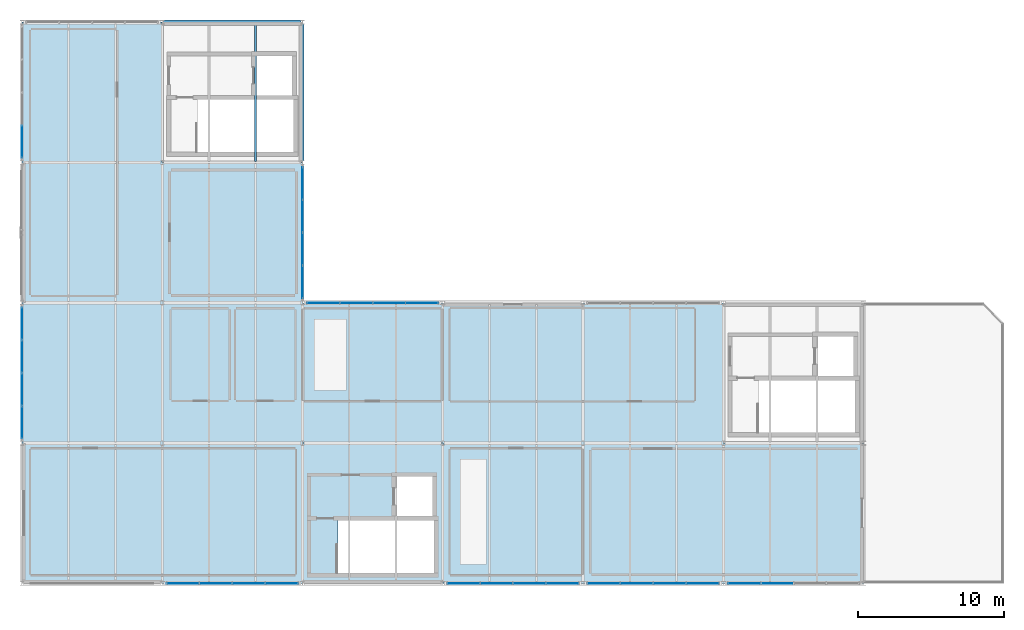
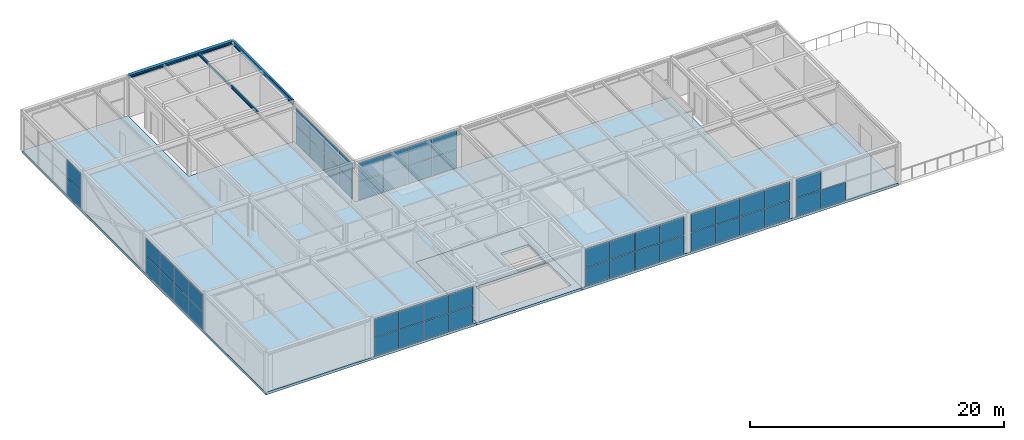
# One storey, part 28 of 33: 53 plates, 3 beams, 2 slabs, 8 elements without a shape of their own.
"""IFC4 building model written with IfcOpenShell, lengths in metres."""

from ifc_helpers import new_model, si_unit, direction, frame, origin, origin_2d, place, context, subcontext, project, spatial, polyline, rectangle, i_section, outline, extrude, material, layer, layer_set, material_profile, profile_set, type_object, element, aggregate, save


model = new_model("IFC4")

# Units and contexts
model_context = context("Model", 3, precision=1e-05, world=origin(), true_north=direction((0.0, 1.0)))
body_context = subcontext(model_context, "Body", "Model", "MODEL_VIEW")
ifc_project = project(units=[si_unit("LENGTHUNIT", "METRE"), si_unit("AREAUNIT", "SQUARE_METRE"), si_unit("VOLUMEUNIT", "CUBIC_METRE"), si_unit("PLANEANGLEUNIT", "RADIAN"), si_unit("MASSUNIT", "GRAM", prefix="KILO")], contexts=[model_context])

# Site, building, storey
site_placement = place(None, origin())
site = spatial("IfcSite", under=ifc_project, at=site_placement, CompositionType="ELEMENT")
building_placement = place(site_placement, origin())
building = spatial("IfcBuilding", under=site, at=building_placement, Name="Coralgate Yard Interchange", CompositionType="ELEMENT")
storey_placement = place(building_placement, frame((0.0, 0.0, 23.10009765625)))
storey = spatial("IfcBuildingStorey", under=building, at=storey_placement, Name="L05", CompositionType="ELEMENT", Elevation=23.10009765625)

# Beams
ifc_material_1 = material(Name="Structural steel S355J2", Category="steel")
ifc_material_profile_1 = material_profile(ifc_material_1, i_section(OverallWidth=0.1904296875, OverallDepth=0.45703125, WebThickness=0.009033203125, FlangeThickness=0.014404296875, FilletRadius=0.01025390625, at=origin_2d()), Name="UB 457x191x74")
ifc_profile_set_1 = profile_set([ifc_material_profile_1], Name="Structural steel S355J2")
beam_type_1 = type_object("IfcBeamType", Name="BM-SB-2", PredefinedType="BEAM", material=ifc_profile_set_1)
beam_1_placement = place(storey_placement, frame((19.199951171875, 28.900146484375, 3.69140625), z_axis=(0.0, 1.0, 0.0), x_axis=(-1.0, 0.0, 0.0)))
element("IfcBeam", 1, at=beam_1_placement, inside=storey, type_object=beam_type_1, Name="L05 primary grid girder X2 Y3-4", PredefinedType="BEAM", context=body_context, shape_type="SweptSolid", body=[
    extrude(i_section(OverallWidth=0.1904296875, OverallDepth=0.45703125, WebThickness=0.009033203125, FlangeThickness=0.014404296875, FilletRadius=0.01025390625, at=origin_2d()), origin(), (0.0, 0.0, 1.0), 9.399658203125),
])
ifc_material_profile_2 = material_profile(ifc_material_1, i_section(OverallWidth=0.135009765625, OverallDepth=0.27001953125, WebThickness=0.006591796875, FlangeThickness=0.01025390625, FilletRadius=0.014892578125, at=origin_2d()), Name="IPE 270")
ifc_profile_set_2 = profile_set([ifc_material_profile_2], Name="Structural steel S355J2")
beam_type_2 = type_object("IfcBeamType", Name="BM-SJ-3", PredefinedType="JOIST", material=ifc_profile_set_2)
beam_2_placement = place(storey_placement, frame((16.0, 28.884033203125, 3.784912109375), z_axis=(0.0, 1.0, 0.0), x_axis=(-1.0, 0.0, 0.0)))
element("IfcBeam", 2, at=beam_2_placement, inside=storey, type_object=beam_type_2, Name="L05 composite floor joist 1-3-2", PredefinedType="JOIST", context=body_context, shape_type="SweptSolid", body=[
    extrude(i_section(OverallWidth=0.135009765625, OverallDepth=0.27001953125, WebThickness=0.006591796875, FlangeThickness=0.01025390625, FilletRadius=0.014892578125, at=origin_2d()), origin(), (0.0, 0.0, 1.0), 9.39599609375),
])
ifc_material_profile_3 = material_profile(ifc_material_1, i_section(OverallWidth=0.300048828125, OverallDepth=0.2900390625, WebThickness=0.008544921875, FlangeThickness=0.013916015625, FilletRadius=0.027099609375, at=origin_2d()), Name="HEA 300")
ifc_profile_set_3 = profile_set([ifc_material_profile_3], Name="Structural steel S355J2")
beam_type_3 = type_object("IfcBeamType", Name="BM-SP-2", PredefinedType="SPANDREL", material=ifc_profile_set_3)
beam_3_placement = place(storey_placement, frame((9.6982421875, 38.39990234375, 3.77490234375), z_axis=(1.0, 0.0, 0.0), x_axis=(0.0, 1.0, 0.0)))
element("IfcBeam", 3, at=beam_3_placement, inside=storey, type_object=beam_type_3, Name="L05 primary grid beam Y4 X1-2", PredefinedType="SPANDREL", context=body_context, shape_type="SweptSolid", body=[
    extrude(i_section(OverallWidth=0.300048828125, OverallDepth=0.2900390625, WebThickness=0.008544921875, FlangeThickness=0.013916015625, FilletRadius=0.027099609375, at=origin_2d()), origin(), (0.0, 0.0, 1.0), 9.403564453125),
])

# Curtain wall, plates
ifc_material_2 = material(Name="Anodised coastal aluminium and solar-control low-E glass", Category="aluminium")
curtain_wall_type = type_object("IfcCurtainWallType", Name="CW-CW-L05-A", PredefinedType="NOTDEFINED", material=ifc_material_2)
curtain_wall_1_placement = place(storey_placement, origin())
curtain_wall_1 = element("IfcCurtainWall", 4, at=curtain_wall_1_placement, inside=storey, type_object=curtain_wall_type, Name="L05 unitised curtain wall CW-L05-W-00-01", PredefinedType="NOTDEFINED")
ifc_material_3 = material(Name="Solar-control double-glazed low-E glass unit", Category="glass")
ifc_layer_1 = layer(ifc_material_3, 0.028076171875)
ifc_layer_set_1 = layer_set([ifc_layer_1], Name="Solar-control double-glazed low-E glass unit")
plate_type = type_object("IfcPlateType", Name="PLT-CP-28", PredefinedType="CURTAIN_PANEL", material=ifc_layer_set_1)
plate_1_placement = place(storey_placement, frame((0.0, 11.02490234375, 0.02490234375), z_axis=(0.0, 0.0, 1.0), x_axis=(0.0, 1.0, 0.0)))
plate_1 = element("IfcPlate", 5, at=plate_1_placement, type_object=plate_type, Name="CW-L05-W-00-01 solar-control glazing panel 1-1", PredefinedType="CURTAIN_PANEL", context=body_context, shape_type="SweptSolid", body=[
    extrude(rectangle(XDim=2.199951171875, YDim=0.028076171875, at=origin_2d()), origin(), (0.0, 0.0, 1.0), 1.681396484375),
])
plate_2_placement = place(storey_placement, frame((0.0, 11.02490234375, 1.75634765625), z_axis=(0.0, 0.0, 1.0), x_axis=(0.0, 1.0, 0.0)))
plate_2 = element("IfcPlate", 6, at=plate_2_placement, type_object=plate_type, Name="CW-L05-W-00-01 solar-control glazing panel 1-2", PredefinedType="CURTAIN_PANEL", context=body_context, shape_type="SweptSolid", body=[
    extrude(rectangle(XDim=2.199951171875, YDim=0.028076171875, at=origin_2d()), origin(), (0.0, 0.0, 1.0), 1.681396484375),
])
plate_3_placement = place(storey_placement, frame((0.0, 13.27490234375, 0.02490234375), z_axis=(0.0, 0.0, 1.0), x_axis=(0.0, 1.0, 0.0)))
plate_3 = element("IfcPlate", 7, at=plate_3_placement, type_object=plate_type, Name="CW-L05-W-00-01 solar-control glazing panel 2-1", PredefinedType="CURTAIN_PANEL", context=body_context, shape_type="SweptSolid", body=[
    extrude(rectangle(XDim=2.199951171875, YDim=0.028076171875, at=origin_2d()), origin(), (0.0, 0.0, 1.0), 1.681396484375),
])
plate_4_placement = place(storey_placement, frame((0.0, 13.27490234375, 1.75634765625), z_axis=(0.0, 0.0, 1.0), x_axis=(0.0, 1.0, 0.0)))
plate_4 = element("IfcPlate", 8, at=plate_4_placement, type_object=plate_type, Name="CW-L05-W-00-01 solar-control glazing panel 2-2", PredefinedType="CURTAIN_PANEL", context=body_context, shape_type="SweptSolid", body=[
    extrude(rectangle(XDim=2.199951171875, YDim=0.028076171875, at=origin_2d()), origin(), (0.0, 0.0, 1.0), 1.681396484375),
])
plate_5_placement = place(storey_placement, frame((0.0, 15.52490234375, 0.02490234375), z_axis=(0.0, 0.0, 1.0), x_axis=(0.0, 1.0, 0.0)))
plate_5 = element("IfcPlate", 9, at=plate_5_placement, type_object=plate_type, Name="CW-L05-W-00-01 solar-control glazing panel 3-1", PredefinedType="CURTAIN_PANEL", context=body_context, shape_type="SweptSolid", body=[
    extrude(rectangle(XDim=2.199951171875, YDim=0.028076171875, at=origin_2d()), origin(), (0.0, 0.0, 1.0), 1.681396484375),
])
plate_6_placement = place(storey_placement, frame((0.0, 15.52490234375, 1.75634765625), z_axis=(0.0, 0.0, 1.0), x_axis=(0.0, 1.0, 0.0)))
plate_6 = element("IfcPlate", 10, at=plate_6_placement, type_object=plate_type, Name="CW-L05-W-00-01 solar-control glazing panel 3-2", PredefinedType="CURTAIN_PANEL", context=body_context, shape_type="SweptSolid", body=[
    extrude(rectangle(XDim=2.199951171875, YDim=0.028076171875, at=origin_2d()), origin(), (0.0, 0.0, 1.0), 1.681396484375),
])
plate_7_placement = place(storey_placement, frame((0.0, 17.77490234375, 0.02490234375), z_axis=(0.0, 0.0, 1.0), x_axis=(0.0, 1.0, 0.0)))
plate_7 = element("IfcPlate", 11, at=plate_7_placement, type_object=plate_type, Name="CW-L05-W-00-01 solar-control glazing panel 4-1", PredefinedType="CURTAIN_PANEL", context=body_context, shape_type="SweptSolid", body=[
    extrude(rectangle(XDim=2.199951171875, YDim=0.028076171875, at=origin_2d()), origin(), (0.0, 0.0, 1.0), 1.681396484375),
])
plate_8_placement = place(storey_placement, frame((0.0, 17.77490234375, 1.75634765625), z_axis=(0.0, 0.0, 1.0), x_axis=(0.0, 1.0, 0.0)))
plate_8 = element("IfcPlate", 12, at=plate_8_placement, type_object=plate_type, Name="CW-L05-W-00-01 solar-control glazing panel 4-2", PredefinedType="CURTAIN_PANEL", context=body_context, shape_type="SweptSolid", body=[
    extrude(rectangle(XDim=2.199951171875, YDim=0.028076171875, at=origin_2d()), origin(), (0.0, 0.0, 1.0), 1.681396484375),
])
aggregate(curtain_wall_1, [plate_1, plate_2, plate_3, plate_4, plate_5, plate_6, plate_7, plate_8])

curtain_wall_2_placement = place(storey_placement, origin())
curtain_wall_2 = element("IfcCurtainWall", 13, at=curtain_wall_2_placement, inside=storey, type_object=curtain_wall_type, Name="L05 unitised curtain wall CW-L05-W-00-03", PredefinedType="NOTDEFINED")
plate_9_placement = place(storey_placement, frame((0.0, 30.22509765625, 0.02490234375), z_axis=(0.0, 0.0, 1.0), x_axis=(0.0, 1.0, 0.0)))
plate_9 = element("IfcPlate", 14, at=plate_9_placement, type_object=plate_type, Name="CW-L05-W-00-03 solar-control glazing panel 1-1", PredefinedType="CURTAIN_PANEL", context=body_context, shape_type="SweptSolid", body=[
    extrude(rectangle(XDim=2.199951171875, YDim=0.028076171875, at=origin_2d()), origin(), (0.0, 0.0, 1.0), 1.681396484375),
])
plate_10_placement = place(storey_placement, frame((0.0, 30.22509765625, 1.75634765625), z_axis=(0.0, 0.0, 1.0), x_axis=(0.0, 1.0, 0.0)))
plate_10 = element("IfcPlate", 15, at=plate_10_placement, type_object=plate_type, Name="CW-L05-W-00-03 solar-control glazing panel 1-2", PredefinedType="CURTAIN_PANEL", context=body_context, shape_type="SweptSolid", body=[
    extrude(rectangle(XDim=2.199951171875, YDim=0.028076171875, at=origin_2d()), origin(), (0.0, 0.0, 1.0), 1.681396484375),
])
aggregate(curtain_wall_2, [plate_9, plate_10])

curtain_wall_3_placement = place(storey_placement, origin())
curtain_wall_3 = element("IfcCurtainWall", 16, at=curtain_wall_3_placement, inside=storey, type_object=curtain_wall_type, Name="L05 unitised curtain wall CW-L05-S-01-00", PredefinedType="NOTDEFINED")
plate_11_placement = place(storey_placement, frame((17.77490234375, 0.0, 0.02490234375), z_axis=(0.0, 0.0, 1.0), x_axis=(-1.0, 0.0, 0.0)))
plate_11 = element("IfcPlate", 17, at=plate_11_placement, type_object=plate_type, Name="CW-L05-S-01-00 solar-control glazing panel 1-1", PredefinedType="CURTAIN_PANEL", context=body_context, shape_type="SweptSolid", body=[
    extrude(rectangle(XDim=2.199951171875, YDim=0.028076171875, at=origin_2d()), origin(), (0.0, 0.0, 1.0), 1.764892578125),
])
plate_12_placement = place(storey_placement, frame((17.77490234375, 0.0, 1.83984375), z_axis=(0.0, 0.0, 1.0), x_axis=(-1.0, 0.0, 0.0)))
plate_12 = element("IfcPlate", 18, at=plate_12_placement, type_object=plate_type, Name="CW-L05-S-01-00 solar-control glazing panel 1-2", PredefinedType="CURTAIN_PANEL", context=body_context, shape_type="SweptSolid", body=[
    extrude(rectangle(XDim=2.199951171875, YDim=0.028076171875, at=origin_2d()), origin(), (0.0, 0.0, 1.0), 1.764892578125),
])
plate_13_placement = place(storey_placement, frame((15.52490234375, 0.0, 0.02490234375), z_axis=(0.0, 0.0, 1.0), x_axis=(-1.0, 0.0, 0.0)))
plate_13 = element("IfcPlate", 19, at=plate_13_placement, type_object=plate_type, Name="CW-L05-S-01-00 solar-control glazing panel 2-1", PredefinedType="CURTAIN_PANEL", context=body_context, shape_type="SweptSolid", body=[
    extrude(rectangle(XDim=2.199951171875, YDim=0.028076171875, at=origin_2d()), origin(), (0.0, 0.0, 1.0), 1.764892578125),
])
plate_14_placement = place(storey_placement, frame((15.52490234375, 0.0, 1.83984375), z_axis=(0.0, 0.0, 1.0), x_axis=(-1.0, 0.0, 0.0)))
plate_14 = element("IfcPlate", 20, at=plate_14_placement, type_object=plate_type, Name="CW-L05-S-01-00 solar-control glazing panel 2-2", PredefinedType="CURTAIN_PANEL", context=body_context, shape_type="SweptSolid", body=[
    extrude(rectangle(XDim=2.199951171875, YDim=0.028076171875, at=origin_2d()), origin(), (0.0, 0.0, 1.0), 1.764892578125),
])
plate_15_placement = place(storey_placement, frame((13.27490234375, 0.0, 0.02490234375), z_axis=(0.0, 0.0, 1.0), x_axis=(-1.0, 0.0, 0.0)))
plate_15 = element("IfcPlate", 21, at=plate_15_placement, type_object=plate_type, Name="CW-L05-S-01-00 solar-control glazing panel 3-1", PredefinedType="CURTAIN_PANEL", context=body_context, shape_type="SweptSolid", body=[
    extrude(rectangle(XDim=2.199951171875, YDim=0.028076171875, at=origin_2d()), origin(), (0.0, 0.0, 1.0), 1.764892578125),
])
plate_16_placement = place(storey_placement, frame((13.27490234375, 0.0, 1.83984375), z_axis=(0.0, 0.0, 1.0), x_axis=(-1.0, 0.0, 0.0)))
plate_16 = element("IfcPlate", 22, at=plate_16_placement, type_object=plate_type, Name="CW-L05-S-01-00 solar-control glazing panel 3-2", PredefinedType="CURTAIN_PANEL", context=body_context, shape_type="SweptSolid", body=[
    extrude(rectangle(XDim=2.199951171875, YDim=0.028076171875, at=origin_2d()), origin(), (0.0, 0.0, 1.0), 1.764892578125),
])
plate_17_placement = place(storey_placement, frame((11.02490234375, 0.0, 0.02490234375), z_axis=(0.0, 0.0, 1.0), x_axis=(-1.0, 0.0, 0.0)))
plate_17 = element("IfcPlate", 23, at=plate_17_placement, type_object=plate_type, Name="CW-L05-S-01-00 solar-control glazing panel 4-1", PredefinedType="CURTAIN_PANEL", context=body_context, shape_type="SweptSolid", body=[
    extrude(rectangle(XDim=2.199951171875, YDim=0.028076171875, at=origin_2d()), origin(), (0.0, 0.0, 1.0), 1.764892578125),
])
plate_18_placement = place(storey_placement, frame((11.02490234375, 0.0, 1.83984375), z_axis=(0.0, 0.0, 1.0), x_axis=(-1.0, 0.0, 0.0)))
plate_18 = element("IfcPlate", 24, at=plate_18_placement, type_object=plate_type, Name="CW-L05-S-01-00 solar-control glazing panel 4-2", PredefinedType="CURTAIN_PANEL", context=body_context, shape_type="SweptSolid", body=[
    extrude(rectangle(XDim=2.199951171875, YDim=0.028076171875, at=origin_2d()), origin(), (0.0, 0.0, 1.0), 1.764892578125),
])
aggregate(curtain_wall_3, [plate_11, plate_12, plate_13, plate_14, plate_15, plate_16, plate_17, plate_18])

curtain_wall_4_placement = place(storey_placement, origin())
curtain_wall_4 = element("IfcCurtainWall", 25, at=curtain_wall_4_placement, inside=storey, type_object=curtain_wall_type, Name="L05 unitised curtain wall CW-L05-E-01-02", PredefinedType="NOTDEFINED")
plate_19_placement = place(storey_placement, frame((19.199951171875, 27.375, 0.02490234375), z_axis=(0.0, 0.0, 1.0), x_axis=(0.0, -1.0, 0.0)))
plate_19 = element("IfcPlate", 26, at=plate_19_placement, type_object=plate_type, Name="CW-L05-E-01-02 solar-control glazing panel 1-1", PredefinedType="CURTAIN_PANEL", context=body_context, shape_type="SweptSolid", body=[
    extrude(rectangle(XDim=2.199951171875, YDim=0.028076171875, at=origin_2d()), origin(), (0.0, 0.0, 1.0), 1.681396484375),
])
plate_20_placement = place(storey_placement, frame((19.199951171875, 27.375, 1.75634765625), z_axis=(0.0, 0.0, 1.0), x_axis=(0.0, -1.0, 0.0)))
plate_20 = element("IfcPlate", 27, at=plate_20_placement, type_object=plate_type, Name="CW-L05-E-01-02 solar-control glazing panel 1-2", PredefinedType="CURTAIN_PANEL", context=body_context, shape_type="SweptSolid", body=[
    extrude(rectangle(XDim=2.199951171875, YDim=0.028076171875, at=origin_2d()), origin(), (0.0, 0.0, 1.0), 1.681396484375),
])
plate_21_placement = place(storey_placement, frame((19.199951171875, 25.125, 0.02490234375), z_axis=(0.0, 0.0, 1.0), x_axis=(0.0, -1.0, 0.0)))
plate_21 = element("IfcPlate", 28, at=plate_21_placement, type_object=plate_type, Name="CW-L05-E-01-02 solar-control glazing panel 2-1", PredefinedType="CURTAIN_PANEL", context=body_context, shape_type="SweptSolid", body=[
    extrude(rectangle(XDim=2.199951171875, YDim=0.028076171875, at=origin_2d()), origin(), (0.0, 0.0, 1.0), 1.681396484375),
])
plate_22_placement = place(storey_placement, frame((19.199951171875, 25.125, 1.75634765625), z_axis=(0.0, 0.0, 1.0), x_axis=(0.0, -1.0, 0.0)))
plate_22 = element("IfcPlate", 29, at=plate_22_placement, type_object=plate_type, Name="CW-L05-E-01-02 solar-control glazing panel 2-2", PredefinedType="CURTAIN_PANEL", context=body_context, shape_type="SweptSolid", body=[
    extrude(rectangle(XDim=2.199951171875, YDim=0.028076171875, at=origin_2d()), origin(), (0.0, 0.0, 1.0), 1.681396484375),
])
plate_23_placement = place(storey_placement, frame((19.199951171875, 22.875, 0.02490234375), z_axis=(0.0, 0.0, 1.0), x_axis=(0.0, -1.0, 0.0)))
plate_23 = element("IfcPlate", 30, at=plate_23_placement, type_object=plate_type, Name="CW-L05-E-01-02 solar-control glazing panel 3-1", PredefinedType="CURTAIN_PANEL", context=body_context, shape_type="SweptSolid", body=[
    extrude(rectangle(XDim=2.199951171875, YDim=0.028076171875, at=origin_2d()), origin(), (0.0, 0.0, 1.0), 1.681396484375),
])
plate_24_placement = place(storey_placement, frame((19.199951171875, 22.875, 1.75634765625), z_axis=(0.0, 0.0, 1.0), x_axis=(0.0, -1.0, 0.0)))
plate_24 = element("IfcPlate", 31, at=plate_24_placement, type_object=plate_type, Name="CW-L05-E-01-02 solar-control glazing panel 3-2", PredefinedType="CURTAIN_PANEL", context=body_context, shape_type="SweptSolid", body=[
    extrude(rectangle(XDim=2.199951171875, YDim=0.028076171875, at=origin_2d()), origin(), (0.0, 0.0, 1.0), 1.681396484375),
])
plate_25_placement = place(storey_placement, frame((19.199951171875, 20.625, 0.02490234375), z_axis=(0.0, 0.0, 1.0), x_axis=(0.0, -1.0, 0.0)))
plate_25 = element("IfcPlate", 32, at=plate_25_placement, type_object=plate_type, Name="CW-L05-E-01-02 solar-control glazing panel 4-1", PredefinedType="CURTAIN_PANEL", context=body_context, shape_type="SweptSolid", body=[
    extrude(rectangle(XDim=2.199951171875, YDim=0.028076171875, at=origin_2d()), origin(), (0.0, 0.0, 1.0), 1.681396484375),
])
plate_26_placement = place(storey_placement, frame((19.199951171875, 20.625, 1.75634765625), z_axis=(0.0, 0.0, 1.0), x_axis=(0.0, -1.0, 0.0)))
plate_26 = element("IfcPlate", 33, at=plate_26_placement, type_object=plate_type, Name="CW-L05-E-01-02 solar-control glazing panel 4-2", PredefinedType="CURTAIN_PANEL", context=body_context, shape_type="SweptSolid", body=[
    extrude(rectangle(XDim=2.199951171875, YDim=0.028076171875, at=origin_2d()), origin(), (0.0, 0.0, 1.0), 1.681396484375),
])
aggregate(curtain_wall_4, [plate_19, plate_20, plate_21, plate_22, plate_23, plate_24, plate_25, plate_26])

curtain_wall_5_placement = place(storey_placement, origin())
curtain_wall_5 = element("IfcCurtainWall", 34, at=curtain_wall_5_placement, inside=storey, type_object=curtain_wall_type, Name="L05 unitised curtain wall CW-L05-N-02-01", PredefinedType="NOTDEFINED")
plate_27_placement = place(storey_placement, frame((20.625, 19.199951171875, 0.02490234375), z_axis=(0.0, 0.0, 1.0), x_axis=(1.0, 0.0, 0.0)))
plate_27 = element("IfcPlate", 35, at=plate_27_placement, type_object=plate_type, Name="CW-L05-N-02-01 solar-control glazing panel 1-1", PredefinedType="CURTAIN_PANEL", context=body_context, shape_type="SweptSolid", body=[
    extrude(rectangle(XDim=2.199951171875, YDim=0.028076171875, at=origin_2d()), origin(), (0.0, 0.0, 1.0), 1.764892578125),
])
plate_28_placement = place(storey_placement, frame((20.625, 19.199951171875, 1.83984375), z_axis=(0.0, 0.0, 1.0), x_axis=(1.0, 0.0, 0.0)))
plate_28 = element("IfcPlate", 36, at=plate_28_placement, type_object=plate_type, Name="CW-L05-N-02-01 solar-control glazing panel 1-2", PredefinedType="CURTAIN_PANEL", context=body_context, shape_type="SweptSolid", body=[
    extrude(rectangle(XDim=2.199951171875, YDim=0.028076171875, at=origin_2d()), origin(), (0.0, 0.0, 1.0), 1.764892578125),
])
plate_29_placement = place(storey_placement, frame((22.875, 19.199951171875, 0.02490234375), z_axis=(0.0, 0.0, 1.0), x_axis=(1.0, 0.0, 0.0)))
plate_29 = element("IfcPlate", 37, at=plate_29_placement, type_object=plate_type, Name="CW-L05-N-02-01 solar-control glazing panel 2-1", PredefinedType="CURTAIN_PANEL", context=body_context, shape_type="SweptSolid", body=[
    extrude(rectangle(XDim=2.199951171875, YDim=0.028076171875, at=origin_2d()), origin(), (0.0, 0.0, 1.0), 1.764892578125),
])
plate_30_placement = place(storey_placement, frame((22.875, 19.199951171875, 1.83984375), z_axis=(0.0, 0.0, 1.0), x_axis=(1.0, 0.0, 0.0)))
plate_30 = element("IfcPlate", 38, at=plate_30_placement, type_object=plate_type, Name="CW-L05-N-02-01 solar-control glazing panel 2-2", PredefinedType="CURTAIN_PANEL", context=body_context, shape_type="SweptSolid", body=[
    extrude(rectangle(XDim=2.199951171875, YDim=0.028076171875, at=origin_2d()), origin(), (0.0, 0.0, 1.0), 1.764892578125),
])
plate_31_placement = place(storey_placement, frame((25.125, 19.199951171875, 0.02490234375), z_axis=(0.0, 0.0, 1.0), x_axis=(1.0, 0.0, 0.0)))
plate_31 = element("IfcPlate", 39, at=plate_31_placement, type_object=plate_type, Name="CW-L05-N-02-01 solar-control glazing panel 3-1", PredefinedType="CURTAIN_PANEL", context=body_context, shape_type="SweptSolid", body=[
    extrude(rectangle(XDim=2.199951171875, YDim=0.028076171875, at=origin_2d()), origin(), (0.0, 0.0, 1.0), 1.764892578125),
])
plate_32_placement = place(storey_placement, frame((25.125, 19.199951171875, 1.83984375), z_axis=(0.0, 0.0, 1.0), x_axis=(1.0, 0.0, 0.0)))
plate_32 = element("IfcPlate", 40, at=plate_32_placement, type_object=plate_type, Name="CW-L05-N-02-01 solar-control glazing panel 3-2", PredefinedType="CURTAIN_PANEL", context=body_context, shape_type="SweptSolid", body=[
    extrude(rectangle(XDim=2.199951171875, YDim=0.028076171875, at=origin_2d()), origin(), (0.0, 0.0, 1.0), 1.764892578125),
])
plate_33_placement = place(storey_placement, frame((27.375, 19.199951171875, 0.02490234375), z_axis=(0.0, 0.0, 1.0), x_axis=(1.0, 0.0, 0.0)))
plate_33 = element("IfcPlate", 41, at=plate_33_placement, type_object=plate_type, Name="CW-L05-N-02-01 solar-control glazing panel 4-1", PredefinedType="CURTAIN_PANEL", context=body_context, shape_type="SweptSolid", body=[
    extrude(rectangle(XDim=2.199951171875, YDim=0.028076171875, at=origin_2d()), origin(), (0.0, 0.0, 1.0), 1.764892578125),
])
plate_34_placement = place(storey_placement, frame((27.375, 19.199951171875, 1.83984375), z_axis=(0.0, 0.0, 1.0), x_axis=(1.0, 0.0, 0.0)))
plate_34 = element("IfcPlate", 42, at=plate_34_placement, type_object=plate_type, Name="CW-L05-N-02-01 solar-control glazing panel 4-2", PredefinedType="CURTAIN_PANEL", context=body_context, shape_type="SweptSolid", body=[
    extrude(rectangle(XDim=2.199951171875, YDim=0.028076171875, at=origin_2d()), origin(), (0.0, 0.0, 1.0), 1.764892578125),
])
aggregate(curtain_wall_5, [plate_27, plate_28, plate_29, plate_30, plate_31, plate_32, plate_33, plate_34])

curtain_wall_6_placement = place(storey_placement, origin())
curtain_wall_6 = element("IfcCurtainWall", 43, at=curtain_wall_6_placement, inside=storey, type_object=curtain_wall_type, Name="L05 unitised curtain wall CW-L05-S-03-00", PredefinedType="NOTDEFINED")
plate_35_placement = place(storey_placement, frame((36.97509765625, 0.0, 0.02490234375), z_axis=(0.0, 0.0, 1.0), x_axis=(-1.0, 0.0, 0.0)))
plate_35 = element("IfcPlate", 44, at=plate_35_placement, type_object=plate_type, Name="CW-L05-S-03-00 solar-control glazing panel 1-1", PredefinedType="CURTAIN_PANEL", context=body_context, shape_type="SweptSolid", body=[
    extrude(rectangle(XDim=2.199951171875, YDim=0.028076171875, at=origin_2d()), origin(), (0.0, 0.0, 1.0), 1.764892578125),
])
plate_36_placement = place(storey_placement, frame((36.97509765625, 0.0, 1.83984375), z_axis=(0.0, 0.0, 1.0), x_axis=(-1.0, 0.0, 0.0)))
plate_36 = element("IfcPlate", 45, at=plate_36_placement, type_object=plate_type, Name="CW-L05-S-03-00 solar-control glazing panel 1-2", PredefinedType="CURTAIN_PANEL", context=body_context, shape_type="SweptSolid", body=[
    extrude(rectangle(XDim=2.199951171875, YDim=0.028076171875, at=origin_2d()), origin(), (0.0, 0.0, 1.0), 1.764892578125),
])
plate_37_placement = place(storey_placement, frame((34.72509765625, 0.0, 0.02490234375), z_axis=(0.0, 0.0, 1.0), x_axis=(-1.0, 0.0, 0.0)))
plate_37 = element("IfcPlate", 46, at=plate_37_placement, type_object=plate_type, Name="CW-L05-S-03-00 solar-control glazing panel 2-1", PredefinedType="CURTAIN_PANEL", context=body_context, shape_type="SweptSolid", body=[
    extrude(rectangle(XDim=2.199951171875, YDim=0.028076171875, at=origin_2d()), origin(), (0.0, 0.0, 1.0), 1.764892578125),
])
plate_38_placement = place(storey_placement, frame((34.72509765625, 0.0, 1.83984375), z_axis=(0.0, 0.0, 1.0), x_axis=(-1.0, 0.0, 0.0)))
plate_38 = element("IfcPlate", 47, at=plate_38_placement, type_object=plate_type, Name="CW-L05-S-03-00 solar-control glazing panel 2-2", PredefinedType="CURTAIN_PANEL", context=body_context, shape_type="SweptSolid", body=[
    extrude(rectangle(XDim=2.199951171875, YDim=0.028076171875, at=origin_2d()), origin(), (0.0, 0.0, 1.0), 1.764892578125),
])
plate_39_placement = place(storey_placement, frame((32.47509765625, 0.0, 0.02490234375), z_axis=(0.0, 0.0, 1.0), x_axis=(-1.0, 0.0, 0.0)))
plate_39 = element("IfcPlate", 48, at=plate_39_placement, type_object=plate_type, Name="CW-L05-S-03-00 solar-control glazing panel 3-1", PredefinedType="CURTAIN_PANEL", context=body_context, shape_type="SweptSolid", body=[
    extrude(rectangle(XDim=2.199951171875, YDim=0.028076171875, at=origin_2d()), origin(), (0.0, 0.0, 1.0), 1.764892578125),
])
plate_40_placement = place(storey_placement, frame((32.47509765625, 0.0, 1.83984375), z_axis=(0.0, 0.0, 1.0), x_axis=(-1.0, 0.0, 0.0)))
plate_40 = element("IfcPlate", 49, at=plate_40_placement, type_object=plate_type, Name="CW-L05-S-03-00 solar-control glazing panel 3-2", PredefinedType="CURTAIN_PANEL", context=body_context, shape_type="SweptSolid", body=[
    extrude(rectangle(XDim=2.199951171875, YDim=0.028076171875, at=origin_2d()), origin(), (0.0, 0.0, 1.0), 1.764892578125),
])
plate_41_placement = place(storey_placement, frame((30.22509765625, 0.0, 0.02490234375), z_axis=(0.0, 0.0, 1.0), x_axis=(-1.0, 0.0, 0.0)))
plate_41 = element("IfcPlate", 50, at=plate_41_placement, type_object=plate_type, Name="CW-L05-S-03-00 solar-control glazing panel 4-1", PredefinedType="CURTAIN_PANEL", context=body_context, shape_type="SweptSolid", body=[
    extrude(rectangle(XDim=2.199951171875, YDim=0.028076171875, at=origin_2d()), origin(), (0.0, 0.0, 1.0), 1.764892578125),
])
plate_42_placement = place(storey_placement, frame((30.22509765625, 0.0, 1.83984375), z_axis=(0.0, 0.0, 1.0), x_axis=(-1.0, 0.0, 0.0)))
plate_42 = element("IfcPlate", 51, at=plate_42_placement, type_object=plate_type, Name="CW-L05-S-03-00 solar-control glazing panel 4-2", PredefinedType="CURTAIN_PANEL", context=body_context, shape_type="SweptSolid", body=[
    extrude(rectangle(XDim=2.199951171875, YDim=0.028076171875, at=origin_2d()), origin(), (0.0, 0.0, 1.0), 1.764892578125),
])
aggregate(curtain_wall_6, [plate_35, plate_36, plate_37, plate_38, plate_39, plate_40, plate_41, plate_42])

curtain_wall_7_placement = place(storey_placement, origin())
curtain_wall_7 = element("IfcCurtainWall", 52, at=curtain_wall_7_placement, inside=storey, type_object=curtain_wall_type, Name="L05 unitised curtain wall CW-L05-S-04-00", PredefinedType="NOTDEFINED")
plate_43_placement = place(storey_placement, frame((46.574951171875, 0.0, 0.02490234375), z_axis=(0.0, 0.0, 1.0), x_axis=(-1.0, 0.0, 0.0)))
plate_43 = element("IfcPlate", 53, at=plate_43_placement, type_object=plate_type, Name="CW-L05-S-04-00 solar-control glazing panel 1-1", PredefinedType="CURTAIN_PANEL", context=body_context, shape_type="SweptSolid", body=[
    extrude(rectangle(XDim=2.199951171875, YDim=0.028076171875, at=origin_2d()), origin(), (0.0, 0.0, 1.0), 1.764892578125),
])
plate_44_placement = place(storey_placement, frame((46.574951171875, 0.0, 1.83984375), z_axis=(0.0, 0.0, 1.0), x_axis=(-1.0, 0.0, 0.0)))
plate_44 = element("IfcPlate", 54, at=plate_44_placement, type_object=plate_type, Name="CW-L05-S-04-00 solar-control glazing panel 1-2", PredefinedType="CURTAIN_PANEL", context=body_context, shape_type="SweptSolid", body=[
    extrude(rectangle(XDim=2.199951171875, YDim=0.028076171875, at=origin_2d()), origin(), (0.0, 0.0, 1.0), 1.764892578125),
])
plate_45_placement = place(storey_placement, frame((44.324951171875, 0.0, 0.02490234375), z_axis=(0.0, 0.0, 1.0), x_axis=(-1.0, 0.0, 0.0)))
plate_45 = element("IfcPlate", 55, at=plate_45_placement, type_object=plate_type, Name="CW-L05-S-04-00 solar-control glazing panel 2-1", PredefinedType="CURTAIN_PANEL", context=body_context, shape_type="SweptSolid", body=[
    extrude(rectangle(XDim=2.199951171875, YDim=0.028076171875, at=origin_2d()), origin(), (0.0, 0.0, 1.0), 1.764892578125),
])
plate_46_placement = place(storey_placement, frame((44.324951171875, 0.0, 1.83984375), z_axis=(0.0, 0.0, 1.0), x_axis=(-1.0, 0.0, 0.0)))
plate_46 = element("IfcPlate", 56, at=plate_46_placement, type_object=plate_type, Name="CW-L05-S-04-00 solar-control glazing panel 2-2", PredefinedType="CURTAIN_PANEL", context=body_context, shape_type="SweptSolid", body=[
    extrude(rectangle(XDim=2.199951171875, YDim=0.028076171875, at=origin_2d()), origin(), (0.0, 0.0, 1.0), 1.764892578125),
])
plate_47_placement = place(storey_placement, frame((42.074951171875, 0.0, 0.02490234375), z_axis=(0.0, 0.0, 1.0), x_axis=(-1.0, 0.0, 0.0)))
plate_47 = element("IfcPlate", 57, at=plate_47_placement, type_object=plate_type, Name="CW-L05-S-04-00 solar-control glazing panel 3-1", PredefinedType="CURTAIN_PANEL", context=body_context, shape_type="SweptSolid", body=[
    extrude(rectangle(XDim=2.199951171875, YDim=0.028076171875, at=origin_2d()), origin(), (0.0, 0.0, 1.0), 1.764892578125),
])
plate_48_placement = place(storey_placement, frame((42.074951171875, 0.0, 1.83984375), z_axis=(0.0, 0.0, 1.0), x_axis=(-1.0, 0.0, 0.0)))
plate_48 = element("IfcPlate", 58, at=plate_48_placement, type_object=plate_type, Name="CW-L05-S-04-00 solar-control glazing panel 3-2", PredefinedType="CURTAIN_PANEL", context=body_context, shape_type="SweptSolid", body=[
    extrude(rectangle(XDim=2.199951171875, YDim=0.028076171875, at=origin_2d()), origin(), (0.0, 0.0, 1.0), 1.764892578125),
])
plate_49_placement = place(storey_placement, frame((39.824951171875, 0.0, 0.02490234375), z_axis=(0.0, 0.0, 1.0), x_axis=(-1.0, 0.0, 0.0)))
plate_49 = element("IfcPlate", 59, at=plate_49_placement, type_object=plate_type, Name="CW-L05-S-04-00 solar-control glazing panel 4-1", PredefinedType="CURTAIN_PANEL", context=body_context, shape_type="SweptSolid", body=[
    extrude(rectangle(XDim=2.199951171875, YDim=0.028076171875, at=origin_2d()), origin(), (0.0, 0.0, 1.0), 1.764892578125),
])
plate_50_placement = place(storey_placement, frame((39.824951171875, 0.0, 1.83984375), z_axis=(0.0, 0.0, 1.0), x_axis=(-1.0, 0.0, 0.0)))
plate_50 = element("IfcPlate", 60, at=plate_50_placement, type_object=plate_type, Name="CW-L05-S-04-00 solar-control glazing panel 4-2", PredefinedType="CURTAIN_PANEL", context=body_context, shape_type="SweptSolid", body=[
    extrude(rectangle(XDim=2.199951171875, YDim=0.028076171875, at=origin_2d()), origin(), (0.0, 0.0, 1.0), 1.764892578125),
])
aggregate(curtain_wall_7, [plate_43, plate_44, plate_45, plate_46, plate_47, plate_48, plate_49, plate_50])

curtain_wall_8_placement = place(storey_placement, origin())
curtain_wall_8 = element("IfcCurtainWall", 61, at=curtain_wall_8_placement, inside=storey, type_object=curtain_wall_type, Name="L05 unitised curtain wall CW-L05-S-05-00", PredefinedType="NOTDEFINED")
plate_51_placement = place(storey_placement, frame((51.675048828125, 0.0, 0.02490234375), z_axis=(0.0, 0.0, 1.0), x_axis=(-1.0, 0.0, 0.0)))
plate_51 = element("IfcPlate", 62, at=plate_51_placement, type_object=plate_type, Name="CW-L05-S-05-00 solar-control glazing panel 3-1", PredefinedType="CURTAIN_PANEL", context=body_context, shape_type="SweptSolid", body=[
    extrude(rectangle(XDim=2.199951171875, YDim=0.028076171875, at=origin_2d()), origin(), (0.0, 0.0, 1.0), 1.764892578125),
])
plate_52_placement = place(storey_placement, frame((49.425048828125, 0.0, 0.02490234375), z_axis=(0.0, 0.0, 1.0), x_axis=(-1.0, 0.0, 0.0)))
plate_52 = element("IfcPlate", 63, at=plate_52_placement, type_object=plate_type, Name="CW-L05-S-05-00 solar-control glazing panel 4-1", PredefinedType="CURTAIN_PANEL", context=body_context, shape_type="SweptSolid", body=[
    extrude(rectangle(XDim=2.199951171875, YDim=0.028076171875, at=origin_2d()), origin(), (0.0, 0.0, 1.0), 1.764892578125),
])
plate_53_placement = place(storey_placement, frame((49.425048828125, 0.0, 1.83984375), z_axis=(0.0, 0.0, 1.0), x_axis=(-1.0, 0.0, 0.0)))
plate_53 = element("IfcPlate", 64, at=plate_53_placement, type_object=plate_type, Name="CW-L05-S-05-00 solar-control glazing panel 4-2", PredefinedType="CURTAIN_PANEL", context=body_context, shape_type="SweptSolid", body=[
    extrude(rectangle(XDim=2.199951171875, YDim=0.028076171875, at=origin_2d()), origin(), (0.0, 0.0, 1.0), 1.764892578125),
])
aggregate(curtain_wall_8, [plate_51, plate_52, plate_53])

# Slabs
ifc_material_4 = material(Name="Concrete C40/50", Category="concrete")
ifc_layer_2 = layer(ifc_material_4, 0.25)
ifc_layer_set_2 = layer_set([ifc_layer_2], Name="Concrete C40/50")
slab_type = type_object("IfcSlabType", Name="SLB-SL-FLR250", PredefinedType="FLOOR", material=ifc_layer_set_2)
slab_1_placement = place(storey_placement, frame((0.0, 0.0, -0.25)))
element("IfcSlab", 65, at=slab_1_placement, inside=storey, type_object=slab_type, Name="L05 core C3 structural floor slab", PredefinedType="FLOOR", context=body_context, shape_type="SweptSolid", body=[
    extrude(outline(polyline([(28.800048828125, 9.60009765625), (28.800048828125, 0.0), (19.199951171875, 0.0), (19.199951171875, 9.60009765625), (28.800048828125, 9.60009765625)]), holes=[polyline([(28.199951171875, 4.31005859375), (21.6201171875, 4.31005859375), (21.6201171875, 0.719970703125), (28.199951171875, 0.719970703125), (28.199951171875, 4.31005859375)]), polyline([(28.10009765625, 4.449951171875), (28.10009765625, 7.300048828125), (25.60009765625, 7.300048828125), (25.60009765625, 4.449951171875), (28.10009765625, 4.449951171875)])]), origin(), (0.0, 0.0, 1.0), 0.25),
])
slab_2_placement = place(storey_placement, frame((0.0, 0.0, -0.25)))
element("IfcSlab", 66, at=slab_2_placement, inside=storey, type_object=slab_type, Name="L05 stepped coastal operations L-shaped slab", PredefinedType="FLOOR", context=body_context, shape_type="SweptSolid", body=[
    extrude(outline(polyline([(0.0, 19.199951171875), (0.0, 28.800048828125), (0.0, 38.39990234375), (9.60009765625, 38.39990234375), (9.60009765625, 28.800048828125), (19.199951171875, 28.800048828125), (19.199951171875, 19.199951171875), (28.800048828125, 19.199951171875), (38.39990234375, 19.199951171875), (48.0, 19.199951171875), (48.0, 9.60009765625), (57.60009765625, 9.60009765625), (57.60009765625, 0.0), (48.0, 0.0), (38.39990234375, 0.0), (28.800048828125, 0.0), (28.800048828125, 9.60009765625), (19.199951171875, 9.60009765625), (19.199951171875, 0.0), (9.60009765625, 0.0), (0.0, 0.0), (0.0, 9.60009765625), (0.0, 19.199951171875)])), origin(), (0.0, 0.0, 1.0), 0.25),
])

save(model, "model.ifc")
